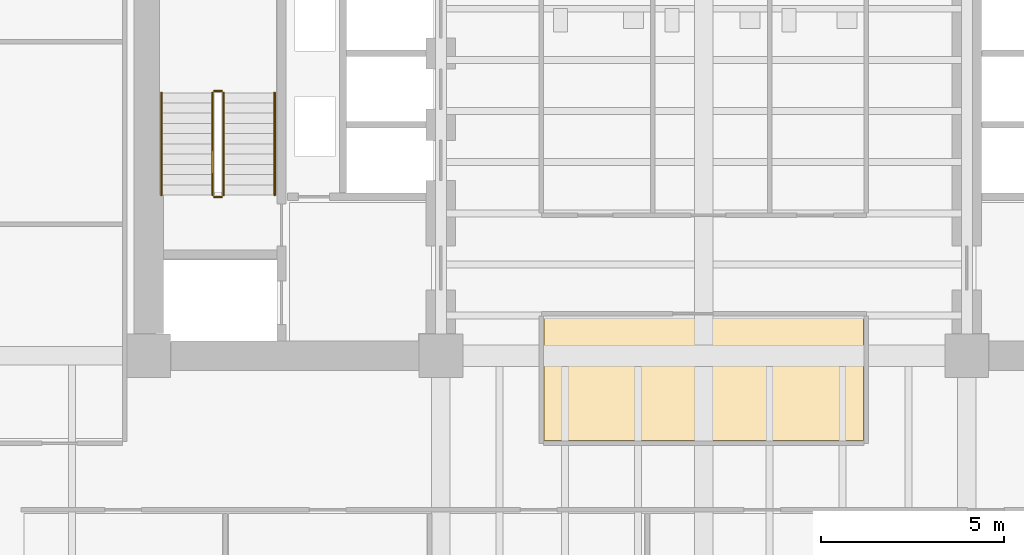
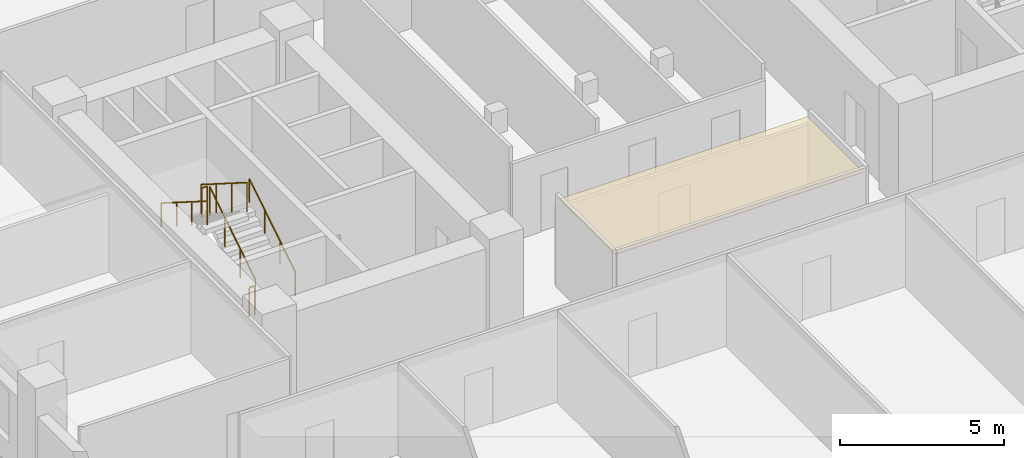
# One storey, part 10 of 13: 6 railings, 1 covering.
"""IFC4 building model written with IfcOpenShell, lengths in metres."""

from ifc_helpers import new_model, si_unit, direction, frame, origin, origin_2d, place, context, subcontext, project, spatial, polyline, circle, outline, extrude, material, layer, layer_set, type_object, element, save


model = new_model("IFC4")

# Units and contexts
model_context = context("Model", 3, precision=1e-05, world=origin(), true_north=direction((0.0, 1.0)))
body_context = subcontext(model_context, "Body", "Model", "MODEL_VIEW")
ifc_project = project(units=[si_unit("LENGTHUNIT", "METRE"), si_unit("AREAUNIT", "SQUARE_METRE"), si_unit("VOLUMEUNIT", "CUBIC_METRE"), si_unit("PLANEANGLEUNIT", "RADIAN"), si_unit("MASSUNIT", "GRAM", prefix="KILO")], contexts=[model_context])

# Site, building, storey
site_placement = place(None, origin())
site = spatial("IfcSite", under=ifc_project, at=site_placement, CompositionType="ELEMENT")
building_placement = place(site_placement, origin())
building = spatial("IfcBuilding", under=site, at=building_placement, Name="Kranthara Brick Stack", CompositionType="ELEMENT")
storey_placement = place(building_placement, frame((0.0, 0.0, 43.800048828125)))
storey = spatial("IfcBuildingStorey", under=building, at=storey_placement, Name="L10", CompositionType="ELEMENT", Elevation=43.800048828125)

# Covering
ifc_material_1 = material(Name="Perforated mineral-fibre acoustic ceiling tile", Category="other")
ifc_layer = layer(ifc_material_1, 0.02490234375)
ifc_layer_set = layer_set([ifc_layer], Name="Perforated mineral-fibre acoustic ceiling tile")
covering_type = type_object("IfcCoveringType", Name="COV-CEIL-ACOUSTIC", PredefinedType="CEILING", material=ifc_layer_set)
covering_placement = place(storey_placement, frame((0.0, 0.0, 3.179931640625)))
element("IfcCovering", 1, at=covering_placement, inside=storey, type_object=covering_type, Name="L10 L10 Central Executive Briefing Room Acoustic Ceiling", PredefinedType="CEILING", context=body_context, shape_type="SweptSolid", body=[
    extrude(outline(polyline([(32.3701171875, 18.47998046875), (32.3701171875, 21.8798828125), (23.6298828125, 21.8798828125), (23.6298828125, 18.47998046875), (32.3701171875, 18.47998046875)])), origin(), (0.0, 0.0, 1.0), 0.02490234375),
])

# Railings
ifc_material_2 = material(Name="Painted galvanized steel stair guardrail", Category="steel")
railing_type_1 = type_object("IfcRailingType", Name="RL-STAIR-GUARD-1100", PredefinedType="GUARDRAIL", material=ifc_material_2)
railing_1_placement = place(storey_placement, frame((14.85009765625, 25.199951171875, 0.17724609375)))
element("IfcRailing", 2, at=railing_1_placement, inside=storey, type_object=railing_type_1, Name="L10 ST01 stair guard 1", PredefinedType="GUARDRAIL", context=body_context, shape_type="SweptSolid", body=[
    extrude(circle(Radius=0.02392578125, at=origin_2d()), frame((0.0, 0.0, 1.076171875), z_axis=(0.0, 0.844908973607, 0.534910110503), x_axis=(-1.0, 0.0, 0.0)), (0.0, 0.0, 1.0), 3.31396484375),
    extrude(circle(Radius=0.02099609375, at=origin_2d()), origin(), (0.0, 0.0, 1.0), 1.052001953125),
    extrude(circle(Radius=0.02099609375, at=origin_2d()), frame((0.0, 0.933349609375, 0.5908203125)), (0.0, 0.0, 1.0), 1.052001953125),
    extrude(circle(Radius=0.02099609375, at=origin_2d()), frame((0.0, 1.86669921875, 1.181884765625)), (0.0, 0.0, 1.0), 1.052001953125),
    extrude(circle(Radius=0.02099609375, at=origin_2d()), frame((0.0, 2.800048828125, 1.772705078125)), (0.0, 0.0, 1.0), 1.052001953125),
])
railing_2_placement = place(storey_placement, frame((14.800048828125, 28.050048828125, 1.949951171875)))
element("IfcRailing", 3, at=railing_2_placement, inside=storey, type_object=railing_type_1, Name="L10 ST01 stair guard 2", PredefinedType="GUARDRAIL", context=body_context, shape_type="SweptSolid", body=[
    extrude(circle(Radius=0.02392578125, at=origin_2d()), frame((0.0, 0.0, 1.076171875), z_axis=(-1.0, 0.0, 0.0), x_axis=(0.0, -1.0, 0.0)), (0.0, 0.0, 1.0), 0.199951171875),
    extrude(circle(Radius=0.02099609375, at=origin_2d()), origin(), (0.0, 0.0, 1.0), 1.052001953125),
    extrude(circle(Radius=0.02099609375, at=origin_2d()), frame((-0.199951171875, 0.0, 0.0)), (0.0, 0.0, 1.0), 1.052001953125),
])
railing_3_placement = place(storey_placement, frame((14.550048828125, 28.0, 2.127197265625)))
element("IfcRailing", 4, at=railing_3_placement, inside=storey, type_object=railing_type_1, Name="L10 ST01 stair guard 3", PredefinedType="GUARDRAIL", context=body_context, shape_type="SweptSolid", body=[
    extrude(circle(Radius=0.02392578125, at=origin_2d()), frame((0.0, 0.0, 1.076171875), z_axis=(0.0, -0.844908973607, 0.534910110503), x_axis=(1.0, 0.0, 0.0)), (0.0, 0.0, 1.0), 3.31396484375),
    extrude(circle(Radius=0.02099609375, at=origin_2d()), origin(), (0.0, 0.0, 1.0), 1.052001953125),
    extrude(circle(Radius=0.02099609375, at=origin_2d()), frame((0.0, -0.933349609375, 0.5908203125)), (0.0, 0.0, 1.0), 1.052001953125),
    extrude(circle(Radius=0.02099609375, at=origin_2d()), frame((0.0, -1.86669921875, 1.181884765625)), (0.0, 0.0, 1.0), 1.052001953125),
    extrude(circle(Radius=0.02099609375, at=origin_2d()), frame((0.0, -2.800048828125, 1.772705078125)), (0.0, 0.0, 1.0), 1.052001953125),
])
railing_4_placement = place(storey_placement, frame((14.800048828125, 25.14990234375, 0.0)))
element("IfcRailing", 5, at=railing_4_placement, inside=storey, type_object=railing_type_1, Name="L10 ST01 stair guard 4", PredefinedType="GUARDRAIL", context=body_context, shape_type="SweptSolid", body=[
    extrude(circle(Radius=0.02392578125, at=origin_2d()), frame((0.0, 0.0, 1.076171875), z_axis=(-1.0, 0.0, 0.0), x_axis=(0.0, -1.0, 0.0)), (0.0, 0.0, 1.0), 0.199951171875),
    extrude(circle(Radius=0.02099609375, at=origin_2d()), origin(), (0.0, 0.0, 1.0), 1.052001953125),
    extrude(circle(Radius=0.02099609375, at=origin_2d()), frame((-0.199951171875, 0.0, 0.0)), (0.0, 0.0, 1.0), 1.052001953125),
])
ifc_material_3 = material(Name="Brushed stainless steel tubular handrail", Category="steel")
railing_type_2 = type_object("IfcRailingType", Name="RL-STAIR-HAND-900", PredefinedType="HANDRAIL", material=ifc_material_3)
railing_5_placement = place(storey_placement, frame((16.25, 25.199951171875, 0.17724609375)))
element("IfcRailing", 6, at=railing_5_placement, inside=storey, type_object=railing_type_2, Name="L10 ST01 stair handrail 1", PredefinedType="HANDRAIL", context=body_context, shape_type="SweptSolid", body=[
    extrude(circle(Radius=0.02392578125, at=origin_2d()), frame((0.0, 0.0, 0.8759765625), z_axis=(0.0, 0.844908973607, 0.534910110503), x_axis=(-1.0, 0.0, 0.0)), (0.0, 0.0, 1.0), 3.31396484375),
    extrude(circle(Radius=0.02099609375, at=origin_2d()), origin(), (0.0, 0.0, 1.0), 0.851806640625),
    extrude(circle(Radius=0.02099609375, at=origin_2d()), frame((0.0, 0.933349609375, 0.5908203125)), (0.0, 0.0, 1.0), 0.851806640625),
    extrude(circle(Radius=0.02099609375, at=origin_2d()), frame((0.0, 1.86669921875, 1.181884765625)), (0.0, 0.0, 1.0), 0.851806640625),
    extrude(circle(Radius=0.02099609375, at=origin_2d()), frame((0.0, 2.800048828125, 1.772705078125)), (0.0, 0.0, 1.0), 0.851806640625),
])
railing_6_placement = place(storey_placement, frame((13.14990234375, 28.0, 2.127197265625)))
element("IfcRailing", 7, at=railing_6_placement, inside=storey, type_object=railing_type_2, Name="L10 ST01 stair handrail 2", PredefinedType="HANDRAIL", context=body_context, shape_type="SweptSolid", body=[
    extrude(circle(Radius=0.02392578125, at=origin_2d()), frame((0.0, 0.0, 0.8759765625), z_axis=(0.0, -0.844908973607, 0.534910110503), x_axis=(1.0, 0.0, 0.0)), (0.0, 0.0, 1.0), 3.31396484375),
    extrude(circle(Radius=0.02099609375, at=origin_2d()), origin(), (0.0, 0.0, 1.0), 0.851806640625),
    extrude(circle(Radius=0.02099609375, at=origin_2d()), frame((0.0, -0.933349609375, 0.5908203125)), (0.0, 0.0, 1.0), 0.851806640625),
    extrude(circle(Radius=0.02099609375, at=origin_2d()), frame((0.0, -1.86669921875, 1.181884765625)), (0.0, 0.0, 1.0), 0.851806640625),
    extrude(circle(Radius=0.02099609375, at=origin_2d()), frame((0.0, -2.800048828125, 1.772705078125)), (0.0, 0.0, 1.0), 0.851806640625),
])

save(model, "model.ifc")
